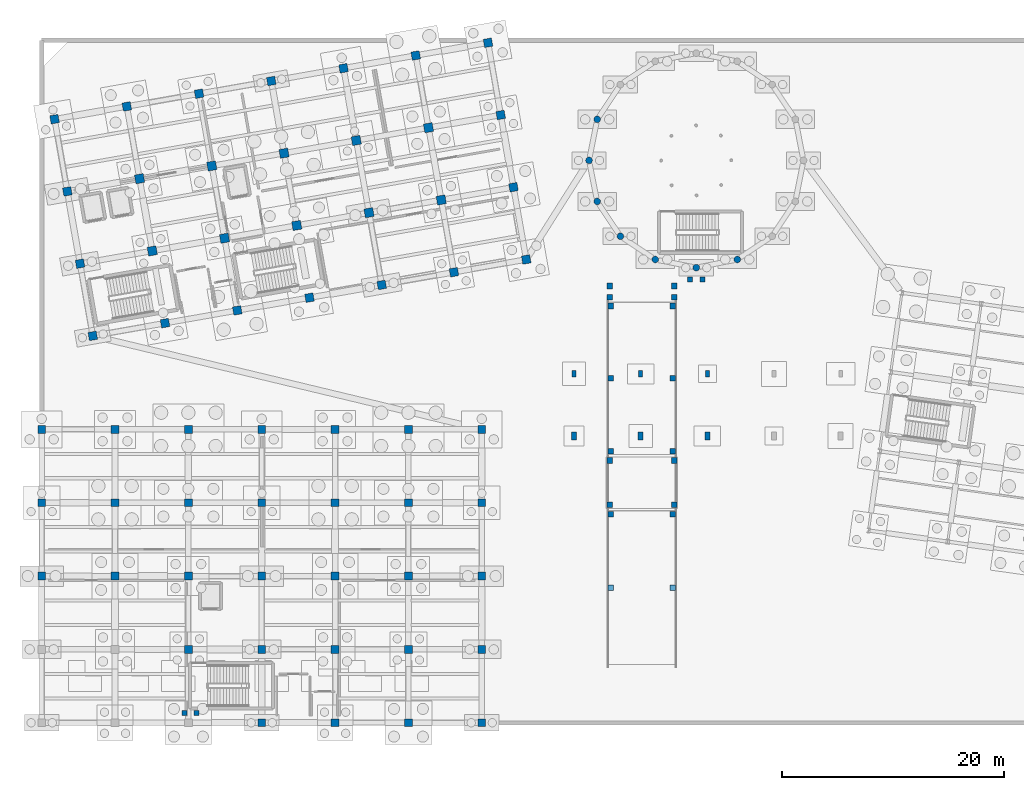
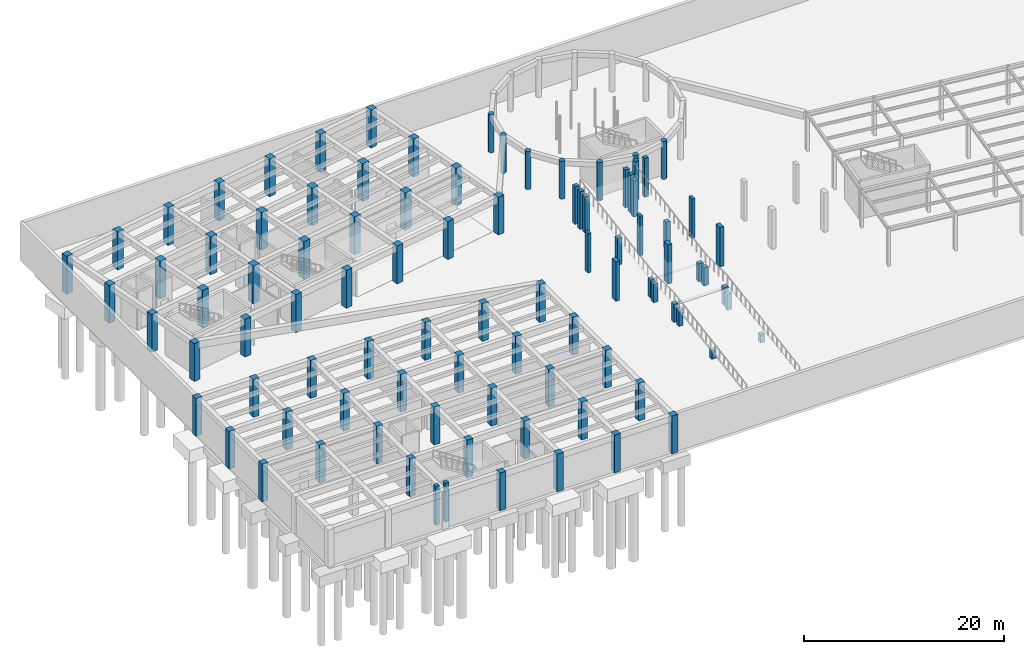
# One storey, part 11 of 34: 93 columns.
"""IFC4 building model written with IfcOpenShell, lengths in metres."""

from ifc_helpers import new_model, si_unit, direction, frame, origin, origin_2d, place, context, subcontext, project, spatial, rectangle, circle, extrude, material, material_profile, profile_set, type_object, element, save


model = new_model("IFC4")

# Units and contexts
model_context = context("Model", 3, precision=1e-05, world=origin(), true_north=direction((0.0, 1.0)))
body_context = subcontext(model_context, "Body", "Model", "MODEL_VIEW")
ifc_project = project(units=[si_unit("LENGTHUNIT", "METRE"), si_unit("AREAUNIT", "SQUARE_METRE"), si_unit("VOLUMEUNIT", "CUBIC_METRE"), si_unit("PLANEANGLEUNIT", "RADIAN"), si_unit("MASSUNIT", "GRAM", prefix="KILO")], contexts=[model_context])

# Site, building, storey
site_placement = place(None, origin())
site = spatial("IfcSite", under=ifc_project, at=site_placement, CompositionType="ELEMENT")
building_placement = place(site_placement, origin())
building = spatial("IfcBuilding", under=site, at=building_placement, Name="Kharisveld Research Institute", CompositionType="ELEMENT")
storey_placement = place(building_placement, frame((0.0, 0.0, -4.800048828125)))
storey = spatial("IfcBuildingStorey", under=building, at=storey_placement, Name="B1", CompositionType="ELEMENT", Elevation=-4.800048828125)

# Columns
ifc_material_1 = material(Name="Concrete C40/50", Category="concrete")
ifc_material_profile_1 = material_profile(ifc_material_1, rectangle(XDim=0.449951171875, YDim=0.449951171875, at=origin_2d()))
ifc_profile_set_1 = profile_set([ifc_material_profile_1], Name="Concrete C40/50")
column_type_1 = type_object("IfcColumnType", Name="COL_RC_450", PredefinedType="COLUMN", material=ifc_profile_set_1)
for number, where, z_axis, x_axis, name in (
    (1, (13.449951171875, 1.10009765625, 0.0), (0.0, 0.0, 1.0), (1.0, 0.0, 0.0), "COL:B1:PEDRMP_W1_L"),
    (2, (14.550048828125, 1.10009765625, 0.0), (0.0, 0.0, 1.0), (1.0, 0.0, 0.0), "COL:B1:PEDRMP_W1_R"),
    (3, (58.949951171875, 40.10009765625, 0.0), (0.0, 0.0, 1.0), (1.0, 0.0, 0.0), "COL:B1:PEDRMP_C1_L"),
    (4, (60.050048828125, 40.10009765625, 0.0), (0.0, 0.0, 1.0), (1.0, 0.0, 0.0), "COL:B1:PEDRMP_C1_R"),
):
    element("IfcColumn", number, at=place(storey_placement, frame(where, z_axis=z_axis, x_axis=x_axis)), inside=storey, type_object=column_type_1, Name=name, PredefinedType="COLUMN", context=body_context, shape_type="SweptSolid", body=[
        extrude(rectangle(XDim=0.449951171875, YDim=0.449951171875, at=origin_2d()), origin(), (0.0, 0.0, 1.0), 4.739990234375),
    ])
ifc_material_2 = material(Name="Concrete C40/50", Category="concrete")
ifc_material_profile_2 = material_profile(ifc_material_2, rectangle(XDim=0.5, YDim=0.5, at=origin_2d()))
ifc_profile_set_2 = profile_set([ifc_material_profile_2], Name="Concrete C40/50")
column_type_2 = type_object("IfcColumnType", Name="COL_RC_500", PredefinedType="COLUMN", material=ifc_profile_set_2)
for number, where, z_axis, x_axis, name in (
    (5, (51.699951171875, 38.5, 0.0), (0.0, 0.0, 1.0), (1.0, 0.0, 0.0), "COL:B1:CAR_ARR_1"),
    (6, (57.5, 38.5, 0.0), (0.0, 0.0, 1.0), (1.0, 0.0, 0.0), "COL:B1:CAR_ARR_2"),
    (7, (57.5, 39.5, 0.0), (0.0, 0.0, 1.0), (1.0, 0.0, 0.0), "COL:B1:CAR_ARR_3"),
    (8, (51.699951171875, 39.5, 0.0), (0.0, 0.0, 1.0), (1.0, 0.0, 0.0), "COL:B1:CAR_ARR_4"),
):
    element("IfcColumn", number, at=place(storey_placement, frame(where, z_axis=z_axis, x_axis=x_axis)), inside=storey, type_object=column_type_2, Name=name, PredefinedType="COLUMN", context=body_context, shape_type="SweptSolid", body=[
        extrude(rectangle(XDim=0.5, YDim=0.5, at=origin_2d()), origin(), (0.0, 0.0, 1.0), 4.580078125),
    ])
for number, where, z_axis, x_axis, name in (
    (9, (51.800048828125, 12.35009765625, 0.0), (0.0, 0.0, 1.0), (1.0, 0.0, 0.0), "COL:B1:CAR_MID_1"),
    (10, (57.39990234375, 12.35009765625, 0.0), (0.0, 0.0, 1.0), (1.0, 0.0, 0.0), "COL:B1:CAR_MID_2"),
):
    element("IfcColumn", number, at=place(storey_placement, frame(where, z_axis=z_axis, x_axis=x_axis)), inside=storey, type_object=column_type_2, Name=name, PredefinedType="COLUMN", context=body_context, shape_type="SweptSolid", body=[
        extrude(rectangle(XDim=0.5, YDim=0.5, at=origin_2d()), origin(), (0.0, 0.0, 1.0), 1.0400390625),
    ])
for number, where, z_axis, x_axis, name in (
    (11, (51.800048828125, 18.949951171875, 0.0), (0.0, 0.0, 1.0), (1.0, 0.0, 0.0), "COL:B1:CAR_MID_3"),
    (12, (57.39990234375, 18.949951171875, 0.0), (0.0, 0.0, 1.0), (1.0, 0.0, 0.0), "COL:B1:CAR_MID_4"),
):
    element("IfcColumn", number, at=place(storey_placement, frame(where, z_axis=z_axis, x_axis=x_axis)), inside=storey, type_object=column_type_2, Name=name, PredefinedType="COLUMN", context=body_context, shape_type="SweptSolid", body=[
        extrude(rectangle(XDim=0.5, YDim=0.5, at=origin_2d()), origin(), (0.0, 0.0, 1.0), 2.010009765625),
    ])
for number, where, z_axis, x_axis, name in (
    (13, (51.800048828125, 24.64990234375, 0.0), (0.0, 0.0, 1.0), (1.0, 0.0, 0.0), "COL:B1:CAR_MID_5"),
    (14, (57.39990234375, 24.64990234375, 0.0), (0.0, 0.0, 1.0), (1.0, 0.0, 0.0), "COL:B1:CAR_MID_6"),
):
    element("IfcColumn", number, at=place(storey_placement, frame(where, z_axis=z_axis, x_axis=x_axis)), inside=storey, type_object=column_type_2, Name=name, PredefinedType="COLUMN", context=body_context, shape_type="SweptSolid", body=[
        extrude(rectangle(XDim=0.5, YDim=0.5, at=origin_2d()), origin(), (0.0, 0.0, 1.0), 2.18994140625),
    ])
for number, where, z_axis, x_axis, name in (
    (15, (51.800048828125, 31.199951171875, 0.0), (0.0, 0.0, 1.0), (1.0, 0.0, 0.0), "COL:B1:CAR_MID_7"),
    (16, (57.39990234375, 31.199951171875, 0.0), (0.0, 0.0, 1.0), (1.0, 0.0, 0.0), "COL:B1:CAR_MID_8"),
):
    element("IfcColumn", number, at=place(storey_placement, frame(where, z_axis=z_axis, x_axis=x_axis)), inside=storey, type_object=column_type_2, Name=name, PredefinedType="COLUMN", context=body_context, shape_type="SweptSolid", body=[
        extrude(rectangle(XDim=0.5, YDim=0.5, at=origin_2d()), origin(), (0.0, 0.0, 1.0), 3.300048828125),
    ])
for number, where, z_axis, x_axis, name in (
    (17, (51.800048828125, 37.699951171875, 0.0), (0.0, 0.0, 1.0), (1.0, 0.0, 0.0), "COL:B1:CAR_MID_9"),
    (18, (57.39990234375, 37.699951171875, 0.0), (0.0, 0.0, 1.0), (1.0, 0.0, 0.0), "COL:B1:CAR_MID_10"),
):
    element("IfcColumn", number, at=place(storey_placement, frame(where, z_axis=z_axis, x_axis=x_axis)), inside=storey, type_object=column_type_2, Name=name, PredefinedType="COLUMN", context=body_context, shape_type="SweptSolid", body=[
        extrude(rectangle(XDim=0.5, YDim=0.5, at=origin_2d()), origin(), (0.0, 0.0, 1.0), 4.41015625),
    ])
for number, where, z_axis, x_axis, name in (
    (19, (51.699951171875, 19.800048828125, 0.0), (0.0, 0.0, 1.0), (1.0, 0.0, 0.0), "COL:B1:CAR_RAMP_1"),
    (20, (57.5, 19.800048828125, 0.0), (0.0, 0.0, 1.0), (1.0, 0.0, 0.0), "COL:B1:CAR_RAMP_2"),
    (21, (57.5, 23.800048828125, 0.0), (0.0, 0.0, 1.0), (1.0, 0.0, 0.0), "COL:B1:CAR_RAMP_3"),
    (22, (51.699951171875, 23.800048828125, 0.0), (0.0, 0.0, 1.0), (1.0, 0.0, 0.0), "COL:B1:CAR_RAMP_4"),
):
    element("IfcColumn", number, at=place(storey_placement, frame(where, z_axis=z_axis, x_axis=x_axis)), inside=storey, type_object=column_type_2, Name=name, PredefinedType="COLUMN", context=body_context, shape_type="SweptSolid", body=[
        extrude(rectangle(XDim=0.5, YDim=0.5, at=origin_2d()), origin(), (0.0, 0.0, 1.0), 2.219970703125),
    ])
ifc_material_3 = material(Name="Concrete C40/50", Category="concrete")
ifc_material_profile_3 = material_profile(ifc_material_3, rectangle(XDim=0.699951171875, YDim=0.699951171875, at=origin_2d()))
ifc_profile_set_3 = profile_set([ifc_material_profile_3], Name="Concrete C40/50")
column_type_3 = type_object("IfcColumnType", Name="COL_RC_700", PredefinedType="COLUMN", material=ifc_profile_set_3)
for number, where, z_axis, x_axis, name in (
    (23, (0.60009765625, 13.39990234375, 0.0), (0.0, 0.0, 1.0), (1.0, 0.0, 0.0), "COL:V3:B1:U0V2"),
    (24, (0.60009765625, 20.0, 0.0), (0.0, 0.0, 1.0), (1.0, 0.0, 0.0), "COL:V3:B1:U0V3"),
    (25, (0.60009765625, 26.60009765625, 0.0), (0.0, 0.0, 1.0), (1.0, 0.0, 0.0), "COL:V3:B1:U0V4"),
    (26, (7.199951171875, 13.39990234375, 0.0), (0.0, 0.0, 1.0), (1.0, 0.0, 0.0), "COL:V3:B1:U1V2"),
    (27, (7.199951171875, 20.0, 0.0), (0.0, 0.0, 1.0), (1.0, 0.0, 0.0), "COL:V3:B1:U1V3"),
    (28, (7.199951171875, 26.60009765625, 0.0), (0.0, 0.0, 1.0), (1.0, 0.0, 0.0), "COL:V3:B1:U1V4"),
    (29, (13.800048828125, 6.800048828125, 0.0), (0.0, 0.0, 1.0), (1.0, 0.0, 0.0), "COL:V3:B1:U2V1"),
    (30, (13.800048828125, 13.39990234375, 0.0), (0.0, 0.0, 1.0), (1.0, 0.0, 0.0), "COL:V3:B1:U2V2"),
    (31, (13.800048828125, 20.0, 0.0), (0.0, 0.0, 1.0), (1.0, 0.0, 0.0), "COL:V3:B1:U2V3"),
    (32, (13.800048828125, 26.60009765625, 0.0), (0.0, 0.0, 1.0), (1.0, 0.0, 0.0), "COL:V3:B1:U2V4"),
    (33, (20.39990234375, 0.199951171875, 0.0), (0.0, 0.0, 1.0), (1.0, 0.0, 0.0), "COL:V3:B1:U3V0"),
    (34, (20.39990234375, 6.800048828125, 0.0), (0.0, 0.0, 1.0), (1.0, 0.0, 0.0), "COL:V3:B1:U3V1"),
    (35, (20.39990234375, 13.39990234375, 0.0), (0.0, 0.0, 1.0), (1.0, 0.0, 0.0), "COL:V3:B1:U3V2"),
    (36, (20.39990234375, 20.0, 0.0), (0.0, 0.0, 1.0), (1.0, 0.0, 0.0), "COL:V3:B1:U3V3"),
    (37, (20.39990234375, 26.60009765625, 0.0), (0.0, 0.0, 1.0), (1.0, 0.0, 0.0), "COL:V3:B1:U3V4"),
    (38, (27.0, 0.199951171875, 0.0), (0.0, 0.0, 1.0), (1.0, 0.0, 0.0), "COL:V3:B1:U4V0"),
    (39, (27.0, 6.800048828125, 0.0), (0.0, 0.0, 1.0), (1.0, 0.0, 0.0), "COL:V3:B1:U4V1"),
    (40, (27.0, 13.39990234375, 0.0), (0.0, 0.0, 1.0), (1.0, 0.0, 0.0), "COL:V3:B1:U4V2"),
    (41, (27.0, 20.0, 0.0), (0.0, 0.0, 1.0), (1.0, 0.0, 0.0), "COL:V3:B1:U4V3"),
    (42, (27.0, 26.60009765625, 0.0), (0.0, 0.0, 1.0), (1.0, 0.0, 0.0), "COL:V3:B1:U4V4"),
    (43, (33.60009765625, 0.199951171875, 0.0), (0.0, 0.0, 1.0), (1.0, 0.0, 0.0), "COL:V3:B1:U5V0"),
    (44, (33.60009765625, 6.800048828125, 0.0), (0.0, 0.0, 1.0), (1.0, 0.0, 0.0), "COL:V3:B1:U5V1"),
    (45, (33.60009765625, 13.39990234375, 0.0), (0.0, 0.0, 1.0), (1.0, 0.0, 0.0), "COL:V3:B1:U5V2"),
    (46, (33.60009765625, 20.0, 0.0), (0.0, 0.0, 1.0), (1.0, 0.0, 0.0), "COL:V3:B1:U5V3"),
    (47, (33.60009765625, 26.60009765625, 0.0), (0.0, 0.0, 1.0), (1.0, 0.0, 0.0), "COL:V3:B1:U5V4"),
    (48, (40.199951171875, 0.199951171875, 0.0), (0.0, 0.0, 1.0), (1.0, 0.0, 0.0), "COL:V3:B1:U6V0"),
    (49, (40.199951171875, 6.800048828125, 0.0), (0.0, 0.0, 1.0), (1.0, 0.0, 0.0), "COL:V3:B1:U6V1"),
    (50, (40.199951171875, 13.39990234375, 0.0), (0.0, 0.0, 1.0), (1.0, 0.0, 0.0), "COL:V3:B1:U6V2"),
    (51, (40.199951171875, 20.0, 0.0), (0.0, 0.0, 1.0), (1.0, 0.0, 0.0), "COL:V3:B1:U6V3"),
    (52, (40.199951171875, 26.60009765625, 0.0), (0.0, 0.0, 1.0), (1.0, 0.0, 0.0), "COL:V3:B1:U6V4"),
):
    element("IfcColumn", number, at=place(storey_placement, frame(where, z_axis=z_axis, x_axis=x_axis)), inside=storey, type_object=column_type_3, Name=name, PredefinedType="COLUMN", context=body_context, shape_type="SweptSolid", body=[
        extrude(rectangle(XDim=0.699951171875, YDim=0.699951171875, at=origin_2d()), origin(), (0.0, 0.0, 1.0), 4.60009765625),
    ])
ifc_material_4 = material(Name="Concrete C50/60", Category="concrete")
ifc_material_profile_4 = material_profile(ifc_material_4, rectangle(XDim=0.75, YDim=0.75, at=origin_2d()))
ifc_profile_set_4 = profile_set([ifc_material_profile_4], Name="Concrete C50/60")
column_type_4 = type_object("IfcColumnType", Name="COL_RC_750", PredefinedType="COLUMN", material=ifc_profile_set_4)
for number, where, z_axis, x_axis, name in (
    (53, (5.199951171875, 35.010009765625, 0.0), (0.0, 0.0, 1.0), (0.984807753012, 0.173648177667, 0.0), "COL:V1:B1:U0V0"),
    (54, (4.053955078125, 41.509765625, 0.0), (0.0, 0.0, 1.0), (0.984807753012, 0.173648177667, 0.0), "COL:V1:B1:U0V1"),
    (55, (2.907958984375, 48.009521484375, 0.0), (0.0, 0.0, 1.0), (0.984807753012, 0.173648177667, 0.0), "COL:V1:B1:U0V2"),
    (56, (1.76171875, 54.50927734375, 0.0), (0.0, 0.0, 1.0), (0.984807753012, 0.173648177667, 0.0), "COL:V1:B1:U0V3"),
    (57, (11.69970703125, 36.156005859375, 0.0), (0.0, 0.0, 1.0), (0.984807753012, 0.173648177667, 0.0), "COL:V1:B1:U1V0"),
    (58, (8.261474609375, 55.6552734375, 0.0), (0.0, 0.0, 1.0), (0.984807753012, 0.173648177667, 0.0), "COL:V1:B1:U1V3"),
    (59, (18.199462890625, 37.30224609375, 0.0), (0.0, 0.0, 1.0), (0.984807753012, 0.173648177667, 0.0), "COL:V1:B1:U2V0"),
    (60, (14.76123046875, 56.80126953125, 0.0), (0.0, 0.0, 1.0), (0.984807753012, 0.173648177667, 0.0), "COL:V1:B1:U2V3"),
    (61, (24.69921875, 38.4482421875, 0.0), (0.0, 0.0, 1.0), (0.984807753012, 0.173648177667, 0.0), "COL:V1:B1:U3V0"),
    (62, (21.260986328125, 57.947509765625, 0.0), (0.0, 0.0, 1.0), (0.984807753012, 0.173648177667, 0.0), "COL:V1:B1:U3V3"),
    (63, (31.198974609375, 39.59423828125, 0.0), (0.0, 0.0, 1.0), (0.984807753012, 0.173648177667, 0.0), "COL:V1:B1:U4V0"),
    (64, (27.7607421875, 59.093505859375, 0.0), (0.0, 0.0, 1.0), (0.984807753012, 0.173648177667, 0.0), "COL:V1:B1:U4V3"),
    (65, (37.69873046875, 40.740478515625, 0.0), (0.0, 0.0, 1.0), (0.984807753012, 0.173648177667, 0.0), "COL:V1:B1:U5V0"),
    (66, (34.260498046875, 60.239501953125, 0.0), (0.0, 0.0, 1.0), (0.984807753012, 0.173648177667, 0.0), "COL:V1:B1:U5V3"),
    (67, (44.198486328125, 41.886474609375, 0.0), (0.0, 0.0, 1.0), (0.984807753012, 0.173648177667, 0.0), "COL:V1:B1:U6V0"),
    (68, (43.05224609375, 48.38623046875, 0.0), (0.0, 0.0, 1.0), (0.984807753012, 0.173648177667, 0.0), "COL:V1:B1:U6V1"),
    (69, (41.90625, 54.885986328125, 0.0), (0.0, 0.0, 1.0), (0.984807753012, 0.173648177667, 0.0), "COL:V1:B1:U6V2"),
    (70, (40.76025390625, 61.3857421875, 0.0), (0.0, 0.0, 1.0), (0.984807753012, 0.173648177667, 0.0), "COL:V1:B1:U6V3"),
):
    element("IfcColumn", number, at=place(storey_placement, frame(where, z_axis=z_axis, x_axis=x_axis)), inside=storey, type_object=column_type_4, Name=name, PredefinedType="COLUMN", context=body_context, shape_type="SweptSolid", body=[
        extrude(rectangle(XDim=0.75, YDim=0.75, at=origin_2d()), origin(), (0.0, 0.0, 1.0), 4.610107421875),
    ])
ifc_material_5 = material(Name="Concrete C50/60", Category="concrete")
ifc_material_profile_5 = material_profile(ifc_material_5, rectangle(XDim=0.800048828125, YDim=0.800048828125, at=origin_2d()))
ifc_profile_set_5 = profile_set([ifc_material_profile_5], Name="Concrete C50/60")
column_type_5 = type_object("IfcColumnType", Name="COL_RC_800", PredefinedType="COLUMN", material=ifc_profile_set_5)
for number, where, z_axis, x_axis, name in (
    (71, (10.5537109375, 42.65576171875, 0.0), (0.0, 0.0, 1.0), (0.984807753012, 0.173648177667, 0.0), "COL:V1:B1:U1V1"),
    (72, (9.407470703125, 49.155517578125, 0.0), (0.0, 0.0, 1.0), (0.984807753012, 0.173648177667, 0.0), "COL:V1:B1:U1V2"),
    (73, (17.053466796875, 43.802001953125, 0.0), (0.0, 0.0, 1.0), (0.984807753012, 0.173648177667, 0.0), "COL:V1:B1:U2V1"),
    (74, (15.9072265625, 50.301513671875, 0.0), (0.0, 0.0, 1.0), (0.984807753012, 0.173648177667, 0.0), "COL:V1:B1:U2V2"),
    (75, (23.55322265625, 44.947998046875, 0.0), (0.0, 0.0, 1.0), (0.984807753012, 0.173648177667, 0.0), "COL:V1:B1:U3V1"),
    (76, (22.406982421875, 51.44775390625, 0.0), (0.0, 0.0, 1.0), (0.984807753012, 0.173648177667, 0.0), "COL:V1:B1:U3V2"),
    (77, (30.052734375, 46.093994140625, 0.0), (0.0, 0.0, 1.0), (0.984807753012, 0.173648177667, 0.0), "COL:V1:B1:U4V1"),
    (78, (28.90673828125, 52.59375, 0.0), (0.0, 0.0, 1.0), (0.984807753012, 0.173648177667, 0.0), "COL:V1:B1:U4V2"),
    (79, (36.552490234375, 47.240234375, 0.0), (0.0, 0.0, 1.0), (0.984807753012, 0.173648177667, 0.0), "COL:V1:B1:U5V1"),
    (80, (35.406494140625, 53.73974609375, 0.0), (0.0, 0.0, 1.0), (0.984807753012, 0.173648177667, 0.0), "COL:V1:B1:U5V2"),
):
    element("IfcColumn", number, at=place(storey_placement, frame(where, z_axis=z_axis, x_axis=x_axis)), inside=storey, type_object=column_type_5, Name=name, PredefinedType="COLUMN", context=body_context, shape_type="SweptSolid", body=[
        extrude(rectangle(XDim=0.800048828125, YDim=0.800048828125, at=origin_2d()), origin(), (0.0, 0.0, 1.0), 4.610107421875),
    ])
ifc_material_6 = material(Name="Concrete C40/50", Category="concrete")
ifc_material_profile_6 = material_profile(ifc_material_6, circle(Radius=0.300048828125, at=origin_2d()))
ifc_profile_set_6 = profile_set([ifc_material_profile_6], Name="Concrete C40/50")
column_type_6 = type_object("IfcColumnType", Name="COL_RC_D600", PredefinedType="COLUMN", material=ifc_profile_set_6)
for number, where, z_axis, x_axis, name in (
    (81, (50.58447265625, 54.492919921875, 0.0), (0.0, 0.0, 1.0), (1.0, 0.0, 0.0), "COL:V6:B1:R07"),
    (82, (49.85009765625, 50.800048828125, 0.0), (0.0, 0.0, 1.0), (1.0, 0.0, 0.0), "COL:V6:B1:R08"),
    (83, (50.58447265625, 47.107177734375, 0.0), (0.0, 0.0, 1.0), (1.0, 0.0, 0.0), "COL:V6:B1:R09"),
    (84, (52.676513671875, 43.976318359375, 0.0), (0.0, 0.0, 1.0), (1.0, 0.0, 0.0), "COL:V6:B1:R10"),
    (85, (55.80712890625, 41.884521484375, 0.0), (0.0, 0.0, 1.0), (1.0, 0.0, 0.0), "COL:V6:B1:R11"),
    (86, (59.5, 41.14990234375, 0.0), (0.0, 0.0, 1.0), (1.0, 0.0, 0.0), "COL:V6:B1:R12"),
    (87, (63.19287109375, 41.884521484375, 0.0), (0.0, 0.0, 1.0), (1.0, 0.0, 0.0), "COL:V6:B1:R13"),
):
    element("IfcColumn", number, at=place(storey_placement, frame(where, z_axis=z_axis, x_axis=x_axis)), inside=storey, type_object=column_type_6, Name=name, PredefinedType="COLUMN", context=body_context, shape_type="SweptSolid", body=[
        extrude(circle(Radius=0.300048828125, at=origin_2d()), origin(), (0.0, 0.0, 1.0), 4.6201171875),
    ])
ifc_material_7 = material(Name="Concrete C40/50", Category="concrete")
ifc_material_profile_7 = material_profile(ifc_material_7, rectangle(XDim=0.35009765625, YDim=0.60009765625, at=origin_2d()))
ifc_profile_set_7 = profile_set([ifc_material_profile_7], Name="Concrete C40/50")
column_type_7 = type_object("IfcColumnType", Name="PIL_RC_350x600", PredefinedType="PILASTER", material=ifc_profile_set_7)
for number, where, z_axis, x_axis, name in (
    (88, (48.5, 31.60009765625, 0.0), (0.0, 0.0, 1.0), (1.0, 0.0, 0.0), "PIL:ARC:B1:1_2"),
    (89, (54.5, 31.60009765625, 0.0), (0.0, 0.0, 1.0), (1.0, 0.0, 0.0), "PIL:ARC:B1:2_2"),
    (90, (60.5, 31.60009765625, 0.0), (0.0, 0.0, 1.0), (1.0, 0.0, 0.0), "PIL:ARC:B1:3_2"),
):
    element("IfcColumn", number, at=place(storey_placement, frame(where, z_axis=z_axis, x_axis=x_axis)), inside=storey, type_object=column_type_7, Name=name, PredefinedType="PILASTER", context=body_context, shape_type="SweptSolid", body=[
        extrude(rectangle(XDim=0.35009765625, YDim=0.60009765625, at=origin_2d()), origin(), (0.0, 0.0, 1.0), 4.800048828125),
    ])
ifc_material_8 = material(Name="Concrete C40/50", Category="concrete")
ifc_material_profile_8 = material_profile(ifc_material_8, rectangle(XDim=0.449951171875, YDim=0.75, at=origin_2d()))
ifc_profile_set_8 = profile_set([ifc_material_profile_8], Name="Concrete C40/50")
column_type_8 = type_object("IfcColumnType", Name="PIL_RC_450x750", PredefinedType="PILASTER", material=ifc_profile_set_8)
for number, where, z_axis, x_axis, name in (
    (91, (48.5, 26.0, 0.0), (0.0, 0.0, 1.0), (1.0, 0.0, 0.0), "PIL:ARC:B1:1_1"),
    (92, (54.5, 26.0, 0.0), (0.0, 0.0, 1.0), (1.0, 0.0, 0.0), "PIL:ARC:B1:2_1"),
    (93, (60.5, 26.0, 0.0), (0.0, 0.0, 1.0), (1.0, 0.0, 0.0), "PIL:ARC:B1:3_1"),
):
    element("IfcColumn", number, at=place(storey_placement, frame(where, z_axis=z_axis, x_axis=x_axis)), inside=storey, type_object=column_type_8, Name=name, PredefinedType="PILASTER", context=body_context, shape_type="SweptSolid", body=[
        extrude(rectangle(XDim=0.449951171875, YDim=0.75, at=origin_2d()), origin(), (0.0, 0.0, 1.0), 4.800048828125),
    ])

save(model, "model.ifc")
